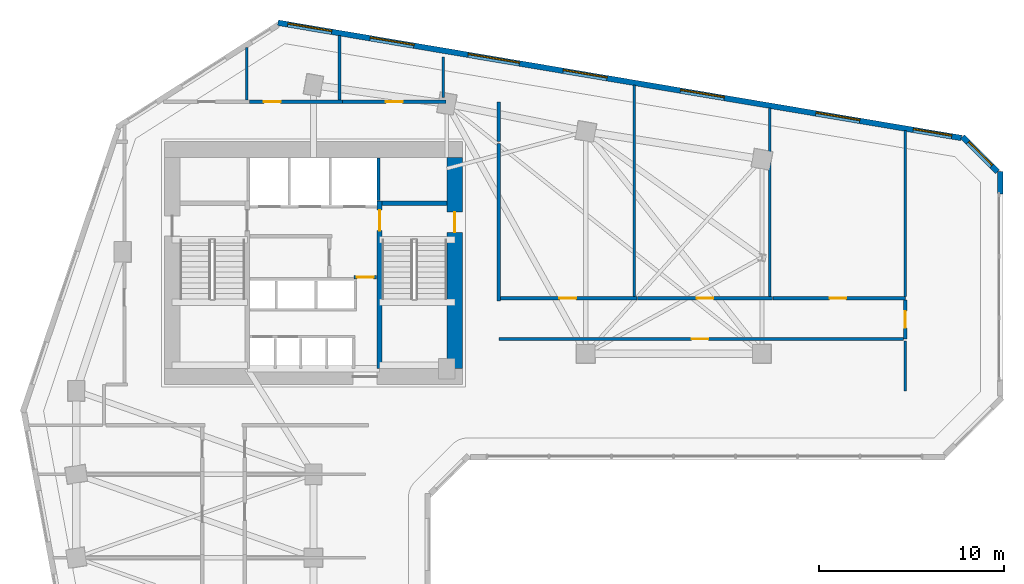
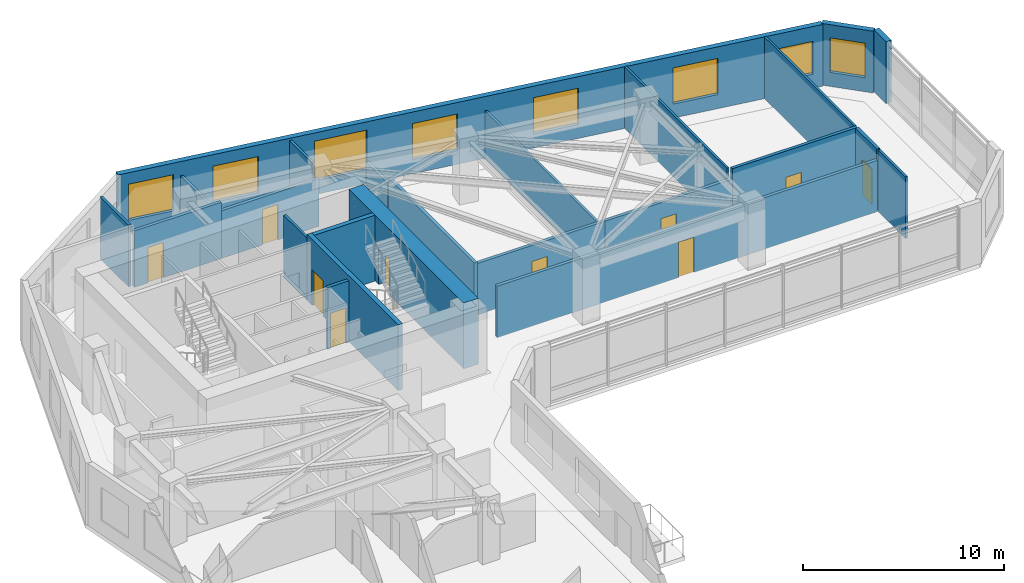
# One storey, part 8 of 11: 24 walls, 10 doors, 8 windows, 18 openings.
"""IFC4 building model written with IfcOpenShell, lengths in metres."""

from ifc_helpers import new_model, si_unit, direction, frame, frame_2d, origin, place, context, subcontext, project, spatial, rectangle, extrude, source, transform, mapped, material, layer, layer_set, type_object, element, fill, save


model = new_model("IFC4")

# Units and contexts
model_context = context("Model", 3, precision=1e-05, world=origin(), true_north=direction((0.0, 1.0)))
body_context = subcontext(model_context, "Body", "Model", "MODEL_VIEW")
ifc_project = project(units=[si_unit("LENGTHUNIT", "METRE"), si_unit("AREAUNIT", "SQUARE_METRE"), si_unit("VOLUMEUNIT", "CUBIC_METRE"), si_unit("PLANEANGLEUNIT", "RADIAN"), si_unit("MASSUNIT", "GRAM", prefix="KILO")], contexts=[model_context])

# Site, building, storey
site_placement = place(None, origin())
site = spatial("IfcSite", under=ifc_project, at=site_placement, CompositionType="ELEMENT")
building_placement = place(site_placement, origin())
building = spatial("IfcBuilding", under=site, at=building_placement, Name="Calvemar Wedge Station Tower", CompositionType="ELEMENT")
storey_placement = place(building_placement, frame((0.0, 0.0, 55.0)))
storey = spatial("IfcBuildingStorey", under=building, at=storey_placement, Name="L13", CompositionType="ELEMENT", Elevation=55.0)

# Wall, opening, door
ifc_material_1 = material(Name="Concrete C50", Category="concrete")
ifc_layer_1 = layer(ifc_material_1, 0.260009765625)
ifc_layer_set_1 = layer_set([ifc_layer_1], Name="Concrete C50")
wall_type_1 = type_object("IfcWallType", Name="SW-CORE-260", PredefinedType="SHEAR", material=ifc_layer_set_1)
wall_1_placement = place(storey_placement, frame((27.3701171875, 34.199951171875, 0.0), z_axis=(0.0, 0.0, 1.0), x_axis=(0.0, 1.0, 0.0)))
wall_1 = element("IfcWall", 1, at=wall_1_placement, inside=storey, type_object=wall_type_1, Name="Storey L13 Core Shear Wall SPINE-E", PredefinedType="SHEAR", context=body_context, shape_type="SweptSolid", body=[
    extrude(rectangle(XDim=9.06005859375, YDim=0.260009765625, at=frame_2d((4.530029296875, 0.0))), origin(), (0.0, 0.0, 1.0), 4.0),
])
shared_shape_1 = source(origin(), body_context, "Body", "SweptSolid", [
    extrude(rectangle(XDim=1.10009765625, YDim=2.14990234375, at=frame_2d((0.550048828125, 1.074951171875))), frame((0.0, 0.14013671875, 0.0), z_axis=(0.0, -1.0, 0.0), x_axis=(1.0, 0.0, 0.0)), (0.0, 0.0, 1.0), 0.280029296875),
])
opening_1_placement = place(wall_1_placement, frame((7.449951171875, 0.0, 0.0)))
opening_1 = element("IfcOpeningElement", 2, at=opening_1_placement, cuts=wall_1, Name="Opening FD-90", PredefinedType="OPENING", context=body_context, shape_type="MappedRepresentation", body=[
    mapped(shared_shape_1, transform((0.0, 0.0, 0.0), scale=1.0)),
])
ifc_material_2 = material(Name="Galvanized fire-rated steel door leaf P-90", Category="steel")
door_type_1 = type_object("IfcDoorType", Name="DR-FD90-1100", OperationType="NOTDEFINED", PredefinedType="DOOR", material=ifc_material_2)
shared_shape_2 = source(origin(), body_context, "Body", "SweptSolid", [
    extrude(rectangle(XDim=1.10009765625, YDim=2.14990234375, at=frame_2d((0.550048828125, 1.074951171875))), frame((0.0, 0.02490234375, 0.0), z_axis=(0.0, -1.0, 0.0), x_axis=(1.0, 0.0, 0.0)), (0.0, 0.0, 1.0), 0.050048828125),
])
door_1_placement = place(opening_1_placement, origin())
door_1 = element("IfcDoor", 3, at=door_1_placement, inside=storey, type_object=door_type_1, Name="L13 FF Lobby to Stair ST-C2 Door", OperationType="SINGLE_SWING_RIGHT", OverallHeight=2.14990234375, OverallWidth=1.10009765625, PredefinedType="DOOR", context=body_context, shape_type="MappedRepresentation", body=[
    mapped(shared_shape_2, transform((0.0, 0.0, 0.0), scale=1.0)),
])
fill(opening_1, door_1)

# Wall
wall_2_placement = place(storey_placement, frame((27.5, 43.1298828125, 0.0), z_axis=(0.0, 0.0, 1.0), x_axis=(1.0, 0.0, 0.0)))
element("IfcWall", 4, at=wall_2_placement, inside=storey, type_object=wall_type_1, Name="Storey L13 Core Shear Wall STC2-N", PredefinedType="SHEAR", context=body_context, shape_type="SweptSolid", body=[
    extrude(rectangle(XDim=3.5, YDim=0.260009765625, at=frame_2d((1.75, 0.0))), origin(), (0.0, 0.0, 1.0), 4.0),
])

# Wall, opening, door
ifc_material_3 = material(Name="Concrete C80", Category="concrete")
ifc_layer_2 = layer(ifc_material_3, 0.85009765625)
ifc_layer_set_2 = layer_set([ifc_layer_2], Name="Concrete C80")
wall_type_2 = type_object("IfcWallType", Name="SW-CORE-850", PredefinedType="SHEAR", material=ifc_layer_set_2)
wall_3_placement = place(storey_placement, frame((31.425048828125, 34.199951171875, 0.0), z_axis=(0.0, 0.0, 1.0), x_axis=(0.0, 1.0, 0.0)))
wall_3 = element("IfcWall", 5, at=wall_3_placement, inside=storey, type_object=wall_type_2, Name="Storey L13 Core Shear Wall E", PredefinedType="SHEAR", context=body_context, shape_type="SweptSolid", body=[
    extrude(rectangle(XDim=11.400146484375, YDim=0.85009765625, at=frame_2d((5.7001953125, 0.0))), origin(), (0.0, 0.0, 1.0), 4.0),
])
shared_shape_3 = source(origin(), body_context, "Body", "SweptSolid", [
    extrude(rectangle(XDim=1.10009765625, YDim=2.14990234375, at=frame_2d((0.550048828125, 1.074951171875))), frame((0.0, 0.43505859375, 0.0), z_axis=(0.0, -1.0, 0.0), x_axis=(1.0, 0.0, 0.0)), (0.0, 0.0, 1.0), 0.8701171875),
])
opening_2_placement = place(wall_3_placement, frame((7.35009765625, 0.0, 0.0)))
opening_2 = element("IfcOpeningElement", 6, at=opening_2_placement, cuts=wall_3, Name="Opening FD-90", PredefinedType="OPENING", context=body_context, shape_type="MappedRepresentation", body=[
    mapped(shared_shape_3, transform((0.0, 0.0, 0.0), scale=1.0)),
])
door_2_placement = place(opening_2_placement, origin())
door_2 = element("IfcDoor", 7, at=door_2_placement, inside=storey, type_object=door_type_1, Name="L13 East Corridor to Exit Stair ST-C2 Door", OperationType="SINGLE_SWING_RIGHT", OverallHeight=2.14990234375, OverallWidth=1.10009765625, PredefinedType="DOOR", context=body_context, shape_type="MappedRepresentation", body=[
    mapped(shared_shape_2, transform((0.0, 0.0, 0.0), scale=1.0)),
])
fill(opening_2, door_2)

ifc_material_4 = material(Name="Double-stud fire-rated corridor partition")
ifc_layer_3 = layer(ifc_material_4, 0.179931640625)
ifc_layer_set_3 = layer_set([ifc_layer_3], Name="Double-stud fire-rated corridor partition")
wall_type_3 = type_object("IfcWallType", Name="W-CORR-180", PredefinedType="PARTITIONING", material=ifc_layer_set_3)
wall_4_placement = place(storey_placement, frame((27.199951171875, 39.1298828125, 0.0), z_axis=(0.0, 0.0, 1.0), x_axis=(-1.0, 0.0, 0.0)))
wall_4 = element("IfcWall", 8, at=wall_4_placement, inside=storey, type_object=wall_type_3, Name="Storey L13 Interior Partition WL-L13-003", PredefinedType="PARTITIONING", context=body_context, shape_type="SweptSolid", body=[
    extrude(rectangle(XDim=1.2099609375, YDim=0.179931640625, at=frame_2d((0.60498046875, 0.0))), origin(), (0.0, 0.0, 1.0), 3.75),
])
shared_shape_4 = source(origin(), body_context, "Body", "SweptSolid", [
    extrude(rectangle(XDim=0.89990234375, YDim=2.14990234375, at=frame_2d((0.449951171875, 1.074951171875))), frame((0.0, 0.10009765625, 0.0), z_axis=(0.0, -1.0, 0.0), x_axis=(1.0, 0.0, 0.0)), (0.0, 0.0, 1.0), 0.199951171875),
])
opening_3_placement = place(wall_4_placement, frame((0.155029296875, 0.0, 0.0)))
opening_3 = element("IfcOpeningElement", 9, at=opening_3_placement, cuts=wall_4, Name="Opening FD-60", PredefinedType="OPENING", context=body_context, shape_type="MappedRepresentation", body=[
    mapped(shared_shape_4, transform((0.0, 0.0, 0.0), scale=1.0)),
])
ifc_material_5 = material(Name="Fire-rated acoustic timber-core entrance door EI 60", Category="wood")
door_type_2 = type_object("IfcDoorType", Name="DR-FD60-900", OperationType="NOTDEFINED", PredefinedType="DOOR", material=ifc_material_5)
shared_shape_5 = source(origin(), body_context, "Body", "SweptSolid", [
    extrude(rectangle(XDim=0.89990234375, YDim=2.14990234375, at=frame_2d((0.449951171875, 1.074951171875))), frame((0.0, 0.02490234375, 0.0), z_axis=(0.0, -1.0, 0.0), x_axis=(1.0, 0.0, 0.0)), (0.0, 0.0, 1.0), 0.050048828125),
])
door_3_placement = place(opening_3_placement, origin())
door_3 = element("IfcDoor", 10, at=door_3_placement, inside=storey, type_object=door_type_2, Name="L13 Core Service Lobby Door", OperationType="SINGLE_SWING_RIGHT", OverallHeight=2.14990234375, OverallWidth=0.89990234375, PredefinedType="DOOR", context=body_context, shape_type="MappedRepresentation", body=[
    mapped(shared_shape_5, transform((0.0, 0.0, 0.0), scale=1.0)),
])
fill(opening_3, door_3)

wall_5_placement = place(storey_placement, frame((20.362060546875, 48.60009765625, 0.0), z_axis=(0.0, 0.0, 1.0), x_axis=(1.0, 0.0, 0.0)))
wall_5 = element("IfcWall", 11, at=wall_5_placement, inside=storey, type_object=wall_type_3, Name="Storey L13 Interior Partition WL-L13-011", PredefinedType="PARTITIONING", context=body_context, shape_type="SweptSolid", body=[
    extrude(rectangle(XDim=4.998046875, YDim=0.179931640625, at=frame_2d((2.4990234375, 0.0))), origin(), (0.0, 0.0, 1.0), 3.4189453125),
])
opening_4_placement = place(wall_5_placement, frame((0.76806640625, 0.0, 0.0)))
opening_4 = element("IfcOpeningElement", 12, at=opening_4_placement, cuts=wall_5, Name="Opening D-01", PredefinedType="OPENING", context=body_context, shape_type="MappedRepresentation", body=[
    mapped(shared_shape_4, transform((0.0, 0.0, 0.0), scale=1.0)),
])
ifc_material_6 = material(Name="Architectural hardwood acoustic swing door", Category="wood")
door_type_3 = type_object("IfcDoorType", Name="DR-INT-900", OperationType="NOTDEFINED", PredefinedType="DOOR", material=ifc_material_6)
shared_shape_6 = source(origin(), body_context, "Body", "SweptSolid", [
    extrude(rectangle(XDim=0.89990234375, YDim=2.14990234375, at=frame_2d((0.449951171875, 1.074951171875))), frame((0.0, 0.02490234375, 0.0), z_axis=(0.0, -1.0, 0.0), x_axis=(1.0, 0.0, 0.0)), (0.0, 0.0, 1.0), 0.050048828125),
])
door_4_placement = place(opening_4_placement, origin())
door_4 = element("IfcDoor", 13, at=door_4_placement, inside=storey, type_object=door_type_3, Name="L13 Pantry Door", OperationType="SINGLE_SWING_LEFT", OverallHeight=2.14990234375, OverallWidth=0.89990234375, PredefinedType="DOOR", context=body_context, shape_type="MappedRepresentation", body=[
    mapped(shared_shape_6, transform((0.0, 0.0, 0.0), scale=1.0)),
])
fill(opening_4, door_4)

wall_6_placement = place(storey_placement, frame((25.362060546875, 48.60009765625, 0.0), z_axis=(0.0, 0.0, 1.0), x_axis=(1.0, 0.0, 0.0)))
wall_6 = element("IfcWall", 14, at=wall_6_placement, inside=storey, type_object=wall_type_3, Name="Storey L13 Interior Partition WL-L13-012", PredefinedType="PARTITIONING", context=body_context, shape_type="SweptSolid", body=[
    extrude(rectangle(XDim=5.597900390625, YDim=0.179931640625, at=frame_2d((2.798828125, 0.0))), origin(), (0.0, 0.0, 1.0), 2.89208984375),
])
opening_5_placement = place(wall_6_placement, frame((2.34912109375, 0.0, 0.0)))
opening_5 = element("IfcOpeningElement", 15, at=opening_5_placement, cuts=wall_6, Name="Opening D-01", PredefinedType="OPENING", context=body_context, shape_type="MappedRepresentation", body=[
    mapped(shared_shape_4, transform((0.0, 0.0, 0.0), scale=1.0)),
])
door_5_placement = place(opening_5_placement, origin())
door_5 = element("IfcDoor", 16, at=door_5_placement, inside=storey, type_object=door_type_3, Name="L13 Female Toilet Door", OperationType="SINGLE_SWING_RIGHT", OverallHeight=2.14990234375, OverallWidth=0.89990234375, PredefinedType="DOOR", context=body_context, shape_type="MappedRepresentation", body=[
    mapped(shared_shape_6, transform((0.0, 0.0, 0.0), scale=1.0)),
])
fill(opening_5, door_5)

# Walls
wall_7_placement = place(storey_placement, frame((33.800048828125, 48.60009765625, 0.0), z_axis=(0.0, 0.0, 1.0), x_axis=(0.0, -1.0, 0.0)))
element("IfcWall", 17, at=wall_7_placement, inside=storey, type_object=wall_type_3, Name="Storey L13 Interior Partition WL-L13-013", PredefinedType="PARTITIONING", context=body_context, shape_type="SweptSolid", body=[
    extrude(rectangle(XDim=2.150146484375, YDim=0.179931640625, at=frame_2d((1.0751953125, 0.0))), origin(), (0.0, 0.0, 1.0), 2.89208984375),
])
wall_8_placement = place(storey_placement, frame((33.800048828125, 46.35595703125, 0.0), z_axis=(0.0, 0.0, 1.0), x_axis=(0.0, -1.0, 0.0)))
element("IfcWall", 18, at=wall_8_placement, inside=storey, type_object=wall_type_3, Name="Storey L13 Interior Partition WL-L13-014", PredefinedType="PARTITIONING", context=body_context, shape_type="SweptSolid", body=[
    extrude(rectangle(XDim=8.515869140625, YDim=0.179931640625, at=frame_2d((4.2578125, 0.0))), origin(), (0.0, 0.0, 1.0), 3.279052734375),
])

# Wall, opening, door
wall_9_placement = place(storey_placement, frame((33.89404296875, 38.0, 0.0), z_axis=(0.0, 0.0, 1.0), x_axis=(1.0, 0.0, 0.0)))
wall_9 = element("IfcWall", 19, at=wall_9_placement, inside=storey, type_object=wall_type_3, Name="Storey L13 Interior Partition WL-L13-018", PredefinedType="PARTITIONING", context=body_context, shape_type="SweptSolid", body=[
    extrude(rectangle(XDim=7.3779296875, YDim=0.179931640625, at=frame_2d((3.68896484375, 0.0))), origin(), (0.0, 0.0, 1.0), 3.125),
])
opening_6_placement = place(wall_9_placement, frame((3.1787109375, 0.0, 0.0)))
opening_6 = element("IfcOpeningElement", 20, at=opening_6_placement, cuts=wall_9, Name="Opening D-01", PredefinedType="OPENING", context=body_context, shape_type="MappedRepresentation", body=[
    mapped(shared_shape_4, transform((0.0, 0.0, 0.0), scale=1.0)),
])
door_6_placement = place(opening_6_placement, origin())
door_6 = element("IfcDoor", 21, at=door_6_placement, inside=storey, type_object=door_type_3, Name="L13 Co-Working Studio Door", OperationType="SINGLE_SWING_LEFT", OverallHeight=2.14990234375, OverallWidth=0.89990234375, PredefinedType="DOOR", context=body_context, shape_type="MappedRepresentation", body=[
    mapped(shared_shape_6, transform((0.0, 0.0, 0.0), scale=1.0)),
])
fill(opening_6, door_6)

wall_10_placement = place(storey_placement, frame((41.27392578125, 38.0, 0.0), z_axis=(0.0, 0.0, 1.0), x_axis=(1.0, 0.0, 0.0)))
wall_10 = element("IfcWall", 22, at=wall_10_placement, inside=storey, type_object=wall_type_3, Name="Storey L13 Interior Partition WL-L13-019", PredefinedType="PARTITIONING", context=body_context, shape_type="SweptSolid", body=[
    extrude(rectangle(XDim=7.30908203125, YDim=0.179931640625, at=frame_2d((3.654541015625, 0.0))), origin(), (0.0, 0.0, 1.0), 3.125),
])
opening_7_placement = place(wall_10_placement, frame((3.20458984375, 0.0, 0.0)))
opening_7 = element("IfcOpeningElement", 23, at=opening_7_placement, cuts=wall_10, Name="Opening D-01", PredefinedType="OPENING", context=body_context, shape_type="MappedRepresentation", body=[
    mapped(shared_shape_4, transform((0.0, 0.0, 0.0), scale=1.0)),
])
door_7_placement = place(opening_7_placement, origin())
door_7 = element("IfcDoor", 24, at=door_7_placement, inside=storey, type_object=door_type_3, Name="L13 Co-Working Studio Door", OperationType="SINGLE_SWING_RIGHT", OverallHeight=2.14990234375, OverallWidth=0.89990234375, PredefinedType="DOOR", context=body_context, shape_type="MappedRepresentation", body=[
    mapped(shared_shape_6, transform((0.0, 0.0, 0.0), scale=1.0)),
])
fill(opening_7, door_7)

wall_11_placement = place(storey_placement, frame((48.5849609375, 38.0, 0.0), z_axis=(0.0, 0.0, 1.0), x_axis=(1.0, 0.0, 0.0)))
wall_11 = element("IfcWall", 25, at=wall_11_placement, inside=storey, type_object=wall_type_3, Name="Storey L13 Interior Partition WL-L13-020", PredefinedType="PARTITIONING", context=body_context, shape_type="SweptSolid", body=[
    extrude(rectangle(XDim=7.150146484375, YDim=0.179931640625, at=frame_2d((3.5751953125, 0.0))), origin(), (0.0, 0.0, 1.0), 3.75),
])
opening_8_placement = place(wall_11_placement, frame((3.064453125, 0.0, 0.0)))
opening_8 = element("IfcOpeningElement", 26, at=opening_8_placement, cuts=wall_11, Name="Opening D-01", PredefinedType="OPENING", context=body_context, shape_type="MappedRepresentation", body=[
    mapped(shared_shape_4, transform((0.0, 0.0, 0.0), scale=1.0)),
])
door_8_placement = place(opening_8_placement, origin())
door_8 = element("IfcDoor", 27, at=door_8_placement, inside=storey, type_object=door_type_3, Name="L13 Meeting Room Door", OperationType="SINGLE_SWING_LEFT", OverallHeight=2.14990234375, OverallWidth=0.89990234375, PredefinedType="DOOR", context=body_context, shape_type="MappedRepresentation", body=[
    mapped(shared_shape_6, transform((0.0, 0.0, 0.0), scale=1.0)),
])
fill(opening_8, door_8)

wall_12_placement = place(storey_placement, frame((55.735107421875, 37.906005859375, 0.0), z_axis=(0.0, 0.0, 1.0), x_axis=(0.0, -1.0, 0.0)))
wall_12 = element("IfcWall", 28, at=wall_12_placement, inside=storey, type_object=wall_type_3, Name="Storey L13 Interior Partition WL-L13-021", PredefinedType="PARTITIONING", context=body_context, shape_type="SweptSolid", body=[
    extrude(rectangle(XDim=2.10595703125, YDim=0.179931640625, at=frame_2d((1.052978515625, 0.0))), origin(), (0.0, 0.0, 1.0), 3.75),
])
opening_9_placement = place(wall_12_placement, frame((0.60302734375, 0.0, 0.0)))
opening_9 = element("IfcOpeningElement", 29, at=opening_9_placement, cuts=wall_12, Name="Opening D-01", PredefinedType="OPENING", context=body_context, shape_type="MappedRepresentation", body=[
    mapped(shared_shape_4, transform((0.0, 0.0, 0.0), scale=1.0)),
])
door_9_placement = place(opening_9_placement, origin())
door_9 = element("IfcDoor", 30, at=door_9_placement, inside=storey, type_object=door_type_3, Name="L13 Design Library Door", OperationType="SINGLE_SWING_RIGHT", OverallHeight=2.14990234375, OverallWidth=0.89990234375, PredefinedType="DOOR", context=body_context, shape_type="MappedRepresentation", body=[
    mapped(shared_shape_6, transform((0.0, 0.0, 0.0), scale=1.0)),
])
fill(opening_9, door_9)

wall_13_placement = place(storey_placement, frame((55.64111328125, 35.800048828125, 0.0), z_axis=(0.0, 0.0, 1.0), x_axis=(-1.0, 0.0, 0.0)))
wall_13 = element("IfcWall", 31, at=wall_13_placement, inside=storey, type_object=wall_type_3, Name="Storey L13 Interior Partition WL-L13-022", PredefinedType="PARTITIONING", context=body_context, shape_type="SweptSolid", body=[
    extrude(rectangle(XDim=21.841064453125, YDim=0.179931640625, at=frame_2d((10.92041015625, 0.0))), origin(), (0.0, 0.0, 1.0), 3.125),
])
opening_10_placement = place(wall_13_placement, frame((10.53076171875, 0.0, 0.0)))
opening_10 = element("IfcOpeningElement", 32, at=opening_10_placement, cuts=wall_13, Name="Opening D-01", PredefinedType="OPENING", context=body_context, shape_type="MappedRepresentation", body=[
    mapped(shared_shape_4, transform((0.0, 0.0, 0.0), scale=1.0)),
])
door_10_placement = place(opening_10_placement, origin())
door_10 = element("IfcDoor", 33, at=door_10_placement, inside=storey, type_object=door_type_3, Name="L13 Meeting Room Door", OperationType="SINGLE_SWING_LEFT", OverallHeight=2.14990234375, OverallWidth=0.89990234375, PredefinedType="DOOR", context=body_context, shape_type="MappedRepresentation", body=[
    mapped(shared_shape_6, transform((0.0, 0.0, 0.0), scale=1.0)),
])
fill(opening_10, door_10)

# Wall
ifc_material_7 = material(Name="Precast concrete C45", Category="concrete")
ifc_layer_4 = layer(ifc_material_7, 0.300048828125)
ifc_layer_set_4 = layer_set([ifc_layer_4], Name="Precast concrete C45")
wall_type_4 = type_object("IfcWallType", Name="W-EXT-GFRC-300", PredefinedType="SOLIDWALL", material=ifc_layer_set_4)
wall_14_placement = place(storey_placement, frame((60.85009765625, 43.622802734375, 0.0), z_axis=(0.0, 0.0, 1.0), x_axis=(0.0, 1.0, 0.0)))
element("IfcWall", 34, at=wall_14_placement, inside=storey, type_object=wall_type_4, Name="Storey L13 Bronze GFRC Corner Pier 8B", PredefinedType="SOLIDWALL", context=body_context, shape_type="SweptSolid", body=[
    extrude(rectangle(XDim=1.22509765625, YDim=0.300048828125, at=frame_2d((0.612548828125, 0.0))), origin(), (0.0, 0.0, 1.0), 3.75),
])

# Wall, opening, window
wall_15_placement = place(storey_placement, frame((60.7119140625, 44.8359375, 0.0), z_axis=(0.0, 0.0, 1.0), x_axis=(-0.707106781187, 0.707106781187, 0.0)))
wall_15 = element("IfcWall", 35, at=wall_15_placement, inside=storey, type_object=wall_type_4, Name="Storey L13 Bronze GFRC Exterior Wall 9", PredefinedType="SOLIDWALL", context=body_context, shape_type="SweptSolid", body=[
    extrude(rectangle(XDim=2.673095703125, YDim=0.300048828125, at=frame_2d((1.33642578125, 0.0))), origin(), (0.0, 0.0, 1.0), 3.75),
])
shared_shape_7 = source(origin(), body_context, "Body", "SweptSolid", [
    extrude(rectangle(XDim=1.800048828125, YDim=2.10009765625, at=frame_2d((0.89990234375, 1.050048828125))), frame((0.0, 0.16015625, 0.0), z_axis=(0.0, -1.0, 0.0), x_axis=(1.0, 0.0, 0.0)), (0.0, 0.0, 1.0), 0.320068359375),
])
opening_11_placement = place(wall_15_placement, frame((0.43701171875, 0.0, 0.85009765625)))
opening_11 = element("IfcOpeningElement", 36, at=opening_11_placement, cuts=wall_15, Name="Opening W2", PredefinedType="OPENING", context=body_context, shape_type="MappedRepresentation", body=[
    mapped(shared_shape_7, transform((0.0, 0.0, 0.0), scale=1.0)),
])
ifc_material_8 = material(Name="Low-E laminated insulated glass", Category="glass")
window_type_1 = type_object("IfcWindowType", Name="WIN-EXT-2", PartitioningType="SINGLE_PANEL", PredefinedType="WINDOW", material=ifc_material_8)
shared_shape_8 = source(origin(), body_context, "Body", "SweptSolid", [
    extrude(rectangle(XDim=1.800048828125, YDim=2.10009765625, at=frame_2d((0.89990234375, 1.050048828125))), frame((0.0, -0.014892578125, 0.0), z_axis=(0.0, -1.0, 0.0), x_axis=(1.0, 0.0, 0.0)), (0.0, 0.0, 1.0), 0.06005859375),
])
window_1_placement = place(opening_11_placement, origin())
window_1 = element("IfcWindow", 37, at=window_1_placement, inside=storey, type_object=window_type_1, Name="Storey L13 Recessed Window 9.1", OverallHeight=2.10009765625, OverallWidth=1.800048828125, PartitioningType="SINGLE_PANEL", PredefinedType="WINDOW", context=body_context, shape_type="MappedRepresentation", body=[
    mapped(shared_shape_8, transform((0.0, 0.0, 0.0), scale=1.0)),
])
fill(opening_11, window_1)

# Wall, openings, windows
wall_16_placement = place(storey_placement, frame((58.7607421875, 46.648193359375, 0.0), z_axis=(0.0, 0.0, 1.0), x_axis=(-0.98607502735, 0.166301053624, 0.0)))
wall_16 = element("IfcWall", 38, at=wall_16_placement, inside=storey, type_object=wall_type_4, Name="Storey L13 Bronze GFRC Exterior Wall 10", PredefinedType="SOLIDWALL", context=body_context, shape_type="SweptSolid", body=[
    extrude(rectangle(XDim=37.3974609375, YDim=0.300048828125, at=frame_2d((18.69873046875, 0.0))), origin(), (0.0, 0.0, 1.0), 3.75),
])
shared_shape_9 = source(origin(), body_context, "Body", "SweptSolid", [
    extrude(rectangle(XDim=2.10009765625, YDim=2.0, at=frame_2d((1.050048828125, 1.0))), frame((0.0, 0.16015625, 0.0), z_axis=(0.0, -1.0, 0.0), x_axis=(1.0, 0.0, 0.0)), (0.0, 0.0, 1.0), 0.320068359375),
])
opening_12_placement = place(wall_16_placement, frame((0.52490234375, 0.0, 0.85009765625)))
opening_12 = element("IfcOpeningElement", 39, at=opening_12_placement, cuts=wall_16, Name="Opening W4", PredefinedType="OPENING", context=body_context, shape_type="MappedRepresentation", body=[
    mapped(shared_shape_9, transform((0.0, 0.0, 0.0), scale=1.0)),
])
shared_shape_10 = source(origin(), body_context, "Body", "SweptSolid", [
    extrude(rectangle(XDim=2.39990234375, YDim=2.199951171875, at=frame_2d((1.199951171875, 1.10009765625))), frame((0.0, 0.16015625, 0.0), z_axis=(0.0, -1.0, 0.0), x_axis=(1.0, 0.0, 0.0)), (0.0, 0.0, 1.0), 0.320068359375),
])
opening_13_placement = place(wall_16_placement, frame((5.556884765625, 0.0, 0.85009765625)))
opening_13 = element("IfcOpeningElement", 40, at=opening_13_placement, cuts=wall_16, Name="Opening W1", PredefinedType="OPENING", context=body_context, shape_type="MappedRepresentation", body=[
    mapped(shared_shape_10, transform((0.0, 0.0, 0.0), scale=1.0)),
])
opening_14_placement = place(wall_16_placement, frame((12.971923828125, 0.0, 0.85009765625)))
opening_14 = element("IfcOpeningElement", 41, at=opening_14_placement, cuts=wall_16, Name="Opening W1", PredefinedType="OPENING", context=body_context, shape_type="MappedRepresentation", body=[
    mapped(shared_shape_10, transform((0.0, 0.0, 0.0), scale=1.0)),
])
opening_15_placement = place(wall_16_placement, frame((19.39404296875, 0.0, 0.85009765625)))
opening_15 = element("IfcOpeningElement", 42, at=opening_15_placement, cuts=wall_16, Name="Opening W1", PredefinedType="OPENING", context=body_context, shape_type="MappedRepresentation", body=[
    mapped(shared_shape_10, transform((0.0, 0.0, 0.0), scale=1.0)),
])
shared_shape_11 = source(origin(), body_context, "Body", "SweptSolid", [
    extrude(rectangle(XDim=2.800048828125, YDim=2.39990234375, at=frame_2d((1.39990234375, 1.199951171875))), frame((0.0, 0.16015625, 0.0), z_axis=(0.0, -1.0, 0.0), x_axis=(1.0, 0.0, 0.0)), (0.0, 0.0, 1.0), 0.320068359375),
])
opening_16_placement = place(wall_16_placement, frame((24.18408203125, 0.0, 0.85009765625)))
opening_16 = element("IfcOpeningElement", 43, at=opening_16_placement, cuts=wall_16, Name="Opening W6", PredefinedType="OPENING", context=body_context, shape_type="MappedRepresentation", body=[
    mapped(shared_shape_11, transform((0.0, 0.0, 0.0), scale=1.0)),
])
opening_17_placement = place(wall_16_placement, frame((29.95703125, 0.0, 0.85009765625)))
opening_17 = element("IfcOpeningElement", 44, at=opening_17_placement, cuts=wall_16, Name="Opening W1", PredefinedType="OPENING", context=body_context, shape_type="MappedRepresentation", body=[
    mapped(shared_shape_10, transform((0.0, 0.0, 0.0), scale=1.0)),
])
opening_18_placement = place(wall_16_placement, frame((34.4560546875, 0.0, 0.85009765625)))
opening_18 = element("IfcOpeningElement", 45, at=opening_18_placement, cuts=wall_16, Name="Opening W1", PredefinedType="OPENING", context=body_context, shape_type="MappedRepresentation", body=[
    mapped(shared_shape_10, transform((0.0, 0.0, 0.0), scale=1.0)),
])
window_type_2 = type_object("IfcWindowType", Name="WIN-EXT-4", PartitioningType="SINGLE_PANEL", PredefinedType="WINDOW", material=ifc_material_8)
shared_shape_12 = source(origin(), body_context, "Body", "SweptSolid", [
    extrude(rectangle(XDim=2.10009765625, YDim=2.0, at=frame_2d((1.050048828125, 1.0))), frame((0.0, -0.014892578125, 0.0), z_axis=(0.0, -1.0, 0.0), x_axis=(1.0, 0.0, 0.0)), (0.0, 0.0, 1.0), 0.06005859375),
])
window_2_placement = place(opening_12_placement, origin())
window_2 = element("IfcWindow", 46, at=window_2_placement, inside=storey, type_object=window_type_2, Name="Storey L13 Recessed Window 10.1", OverallHeight=2.0, OverallWidth=2.10009765625, PartitioningType="SINGLE_PANEL", PredefinedType="WINDOW", context=body_context, shape_type="MappedRepresentation", body=[
    mapped(shared_shape_12, transform((0.0, 0.0, 0.0), scale=1.0)),
])
fill(opening_12, window_2)
window_type_3 = type_object("IfcWindowType", Name="WIN-EXT-6", PartitioningType="SINGLE_PANEL", PredefinedType="WINDOW", material=ifc_material_8)
shared_shape_13 = source(origin(), body_context, "Body", "SweptSolid", [
    extrude(rectangle(XDim=2.800048828125, YDim=2.39990234375, at=frame_2d((1.39990234375, 1.199951171875))), frame((0.0, -0.014892578125, 0.0), z_axis=(0.0, -1.0, 0.0), x_axis=(1.0, 0.0, 0.0)), (0.0, 0.0, 1.0), 0.06005859375),
])
window_3_placement = place(opening_16_placement, origin())
window_3 = element("IfcWindow", 47, at=window_3_placement, inside=storey, type_object=window_type_3, Name="Storey L13 Recessed Window 10.5", OverallHeight=2.39990234375, OverallWidth=2.800048828125, PartitioningType="SINGLE_PANEL", PredefinedType="WINDOW", context=body_context, shape_type="MappedRepresentation", body=[
    mapped(shared_shape_13, transform((0.0, 0.0, 0.0), scale=1.0)),
])
fill(opening_16, window_3)
window_type_4 = type_object("IfcWindowType", Name="WIN-EXT-1", PartitioningType="SINGLE_PANEL", PredefinedType="WINDOW", material=ifc_material_8)
shared_shape_14 = source(origin(), body_context, "Body", "SweptSolid", [
    extrude(rectangle(XDim=2.39990234375, YDim=2.199951171875, at=frame_2d((1.199951171875, 1.10009765625))), frame((0.0, -0.014892578125, 0.0), z_axis=(0.0, -1.0, 0.0), x_axis=(1.0, 0.0, 0.0)), (0.0, 0.0, 1.0), 0.06005859375),
])
window_4_placement = place(opening_13_placement, origin())
window_4 = element("IfcWindow", 48, at=window_4_placement, inside=storey, type_object=window_type_4, Name="Storey L13 Recessed Window 10.2", OverallHeight=2.199951171875, OverallWidth=2.39990234375, PartitioningType="SINGLE_PANEL", PredefinedType="WINDOW", context=body_context, shape_type="MappedRepresentation", body=[
    mapped(shared_shape_14, transform((0.0, 0.0, 0.0), scale=1.0)),
])
fill(opening_13, window_4)
window_5_placement = place(opening_14_placement, origin())
window_5 = element("IfcWindow", 49, at=window_5_placement, inside=storey, type_object=window_type_4, Name="Storey L13 Recessed Window 10.3", OverallHeight=2.199951171875, OverallWidth=2.39990234375, PartitioningType="SINGLE_PANEL", PredefinedType="WINDOW", context=body_context, shape_type="MappedRepresentation", body=[
    mapped(shared_shape_14, transform((0.0, 0.0, 0.0), scale=1.0)),
])
fill(opening_14, window_5)
window_6_placement = place(opening_15_placement, origin())
window_6 = element("IfcWindow", 50, at=window_6_placement, inside=storey, type_object=window_type_4, Name="Storey L13 Recessed Window 10.4", OverallHeight=2.199951171875, OverallWidth=2.39990234375, PartitioningType="SINGLE_PANEL", PredefinedType="WINDOW", context=body_context, shape_type="MappedRepresentation", body=[
    mapped(shared_shape_14, transform((0.0, 0.0, 0.0), scale=1.0)),
])
fill(opening_15, window_6)
window_7_placement = place(opening_17_placement, origin())
window_7 = element("IfcWindow", 51, at=window_7_placement, inside=storey, type_object=window_type_4, Name="Storey L13 Recessed Window 10.6", OverallHeight=2.199951171875, OverallWidth=2.39990234375, PartitioningType="SINGLE_PANEL", PredefinedType="WINDOW", context=body_context, shape_type="MappedRepresentation", body=[
    mapped(shared_shape_14, transform((0.0, 0.0, 0.0), scale=1.0)),
])
fill(opening_17, window_7)
window_8_placement = place(opening_18_placement, origin())
window_8 = element("IfcWindow", 52, at=window_8_placement, inside=storey, type_object=window_type_4, Name="Storey L13 Recessed Window 10.7", OverallHeight=2.199951171875, OverallWidth=2.39990234375, PartitioningType="SINGLE_PANEL", PredefinedType="WINDOW", context=body_context, shape_type="MappedRepresentation", body=[
    mapped(shared_shape_14, transform((0.0, 0.0, 0.0), scale=1.0)),
])
fill(opening_18, window_8)

# Walls
ifc_material_9 = material(Name="Reinforced concrete blockwork lift shaft wall", Category="masonry")
ifc_layer_5 = layer(ifc_material_9, 0.139892578125)
ifc_layer_set_5 = layer_set([ifc_layer_5], Name="Reinforced concrete blockwork lift shaft wall")
wall_type_5 = type_object("IfcWallType", Name="W-LIFT-160", PredefinedType="SOLIDWALL", material=ifc_layer_set_5)
wall_17_placement = place(storey_placement, frame((27.31005859375, 43.280029296875, 0.0), z_axis=(0.0, 0.0, 1.0), x_axis=(0.0, 1.0, 0.0)))
element("IfcWall", 53, at=wall_17_placement, inside=storey, type_object=wall_type_5, Name="Storey L13 Firefighting Lift Shaft Enclosure Wall E", PredefinedType="SOLIDWALL", context=body_context, shape_type="SweptSolid", body=[
    extrude(rectangle(XDim=2.300048828125, YDim=0.139892578125, at=frame_2d((1.14990234375, 0.0))), origin(), (0.0, 0.0, 1.0), 3.75),
])
ifc_material_10 = material(Name="Insulated acoustic gypsum stud partition")
ifc_layer_6 = layer(ifc_material_10, 0.125)
ifc_layer_set_6 = layer_set([ifc_layer_6], Name="Insulated acoustic gypsum stud partition")
wall_type_6 = type_object("IfcWallType", Name="W-PART-125", PredefinedType="PARTITIONING", material=ifc_layer_set_6)
wall_18_placement = place(storey_placement, frame((41.112060546875, 49.508056640625, 0.0), z_axis=(0.0, 0.0, 1.0), x_axis=(0.0, -1.0, 0.0)))
element("IfcWall", 54, at=wall_18_placement, inside=storey, type_object=wall_type_6, Name="Storey L13 Interior Partition WL-L13-023", PredefinedType="PARTITIONING", context=body_context, shape_type="SweptSolid", body=[
    extrude(rectangle(XDim=11.4140625, YDim=0.125, at=frame_2d((5.70703125, 0.0))), origin(), (0.0, 0.0, 1.0), 2.89208984375),
])
wall_19_placement = place(storey_placement, frame((48.423095703125, 48.275146484375, 0.0), z_axis=(0.0, 0.0, 1.0), x_axis=(0.0, -1.0, 0.0)))
element("IfcWall", 55, at=wall_19_placement, inside=storey, type_object=wall_type_6, Name="Storey L13 Interior Partition WL-L13-024", PredefinedType="PARTITIONING", context=body_context, shape_type="SweptSolid", body=[
    extrude(rectangle(XDim=10.18115234375, YDim=0.125, at=frame_2d((5.090576171875, 0.0))), origin(), (0.0, 0.0, 1.0), 3.75),
])
wall_20_placement = place(storey_placement, frame((55.735107421875, 47.0419921875, 0.0), z_axis=(0.0, 0.0, 1.0), x_axis=(0.0, -1.0, 0.0)))
element("IfcWall", 56, at=wall_20_placement, inside=storey, type_object=wall_type_6, Name="Storey L13 Interior Partition WL-L13-025", PredefinedType="PARTITIONING", context=body_context, shape_type="SweptSolid", body=[
    extrude(rectangle(XDim=8.947998046875, YDim=0.125, at=frame_2d((4.47412109375, 0.0))), origin(), (0.0, 0.0, 1.0), 3.75),
])
wall_21_placement = place(storey_placement, frame((55.735107421875, 33.0, 0.0), z_axis=(0.0, 0.0, 1.0), x_axis=(0.0, 1.0, 0.0)))
element("IfcWall", 57, at=wall_21_placement, inside=storey, type_object=wall_type_6, Name="Storey L13 Interior Partition WL-L13-026", PredefinedType="PARTITIONING", context=body_context, shape_type="SweptSolid", body=[
    extrude(rectangle(XDim=2.7060546875, YDim=0.125, at=frame_2d((1.35302734375, 0.0))), origin(), (0.0, 0.0, 1.0), 3.75),
])
ifc_material_11 = material(Name="Moisture-resistant acoustic bathroom partition")
ifc_layer_7 = layer(ifc_material_11, 0.14990234375)
ifc_layer_set_7 = layer_set([ifc_layer_7], Name="Moisture-resistant acoustic bathroom partition")
wall_type_7 = type_object("IfcWallType", Name="W-WET-150", PredefinedType="PARTITIONING", material=ifc_layer_set_7)
wall_22_placement = place(storey_placement, frame((20.199951171875, 51.540283203125, 0.0), z_axis=(0.0, 0.0, 1.0), x_axis=(0.0, -1.0, 0.0)))
element("IfcWall", 58, at=wall_22_placement, inside=storey, type_object=wall_type_7, Name="Storey L13 Interior Partition WL-L13-016", PredefinedType="PARTITIONING", context=body_context, shape_type="SweptSolid", body=[
    extrude(rectangle(XDim=2.84619140625, YDim=0.14990234375, at=frame_2d((1.423095703125, 0.0))), origin(), (0.0, 0.0, 1.0), 3.75),
])
wall_23_placement = place(storey_placement, frame((25.199951171875, 52.191650390625, 0.0), z_axis=(0.0, 0.0, 1.0), x_axis=(0.0, -1.0, 0.0)))
element("IfcWall", 59, at=wall_23_placement, inside=storey, type_object=wall_type_7, Name="Storey L13 Interior Partition WL-L13-017", PredefinedType="PARTITIONING", context=body_context, shape_type="SweptSolid", body=[
    extrude(rectangle(XDim=3.49755859375, YDim=0.14990234375, at=frame_2d((1.748779296875, 0.0))), origin(), (0.0, 0.0, 1.0), 2.89208984375),
])
wall_24_placement = place(storey_placement, frame((30.800048828125, 51.02392578125, 0.0), z_axis=(0.0, 0.0, 1.0), x_axis=(0.0, -1.0, 0.0)))
element("IfcWall", 60, at=wall_24_placement, inside=storey, type_object=wall_type_7, Name="Storey L13 Bathroom Enclosure Wall WL-L13-044", PredefinedType="PARTITIONING", context=body_context, shape_type="SweptSolid", body=[
    extrude(rectangle(XDim=2.203857421875, YDim=0.14990234375, at=frame_2d((1.10205078125, 0.0))), origin(), (0.0, 0.0, 1.0), 3.75),
])

save(model, "model.ifc")
